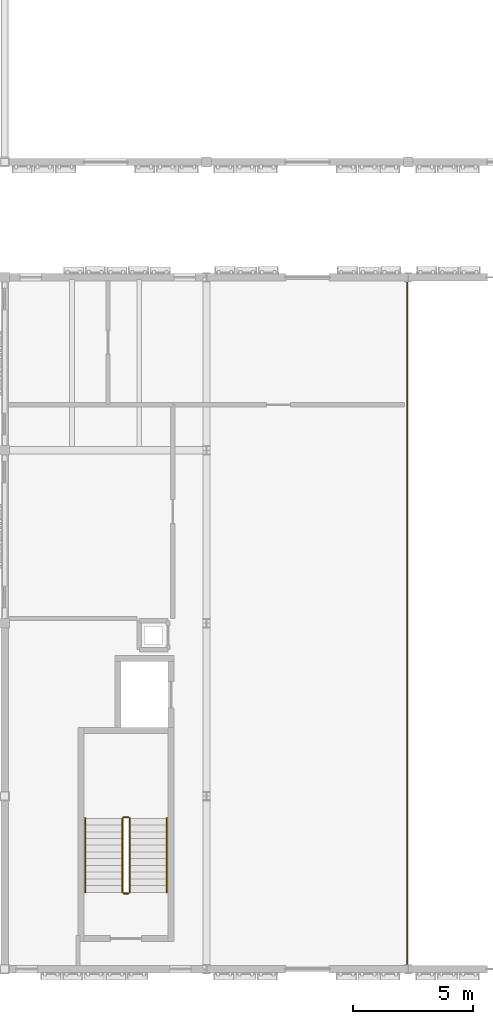
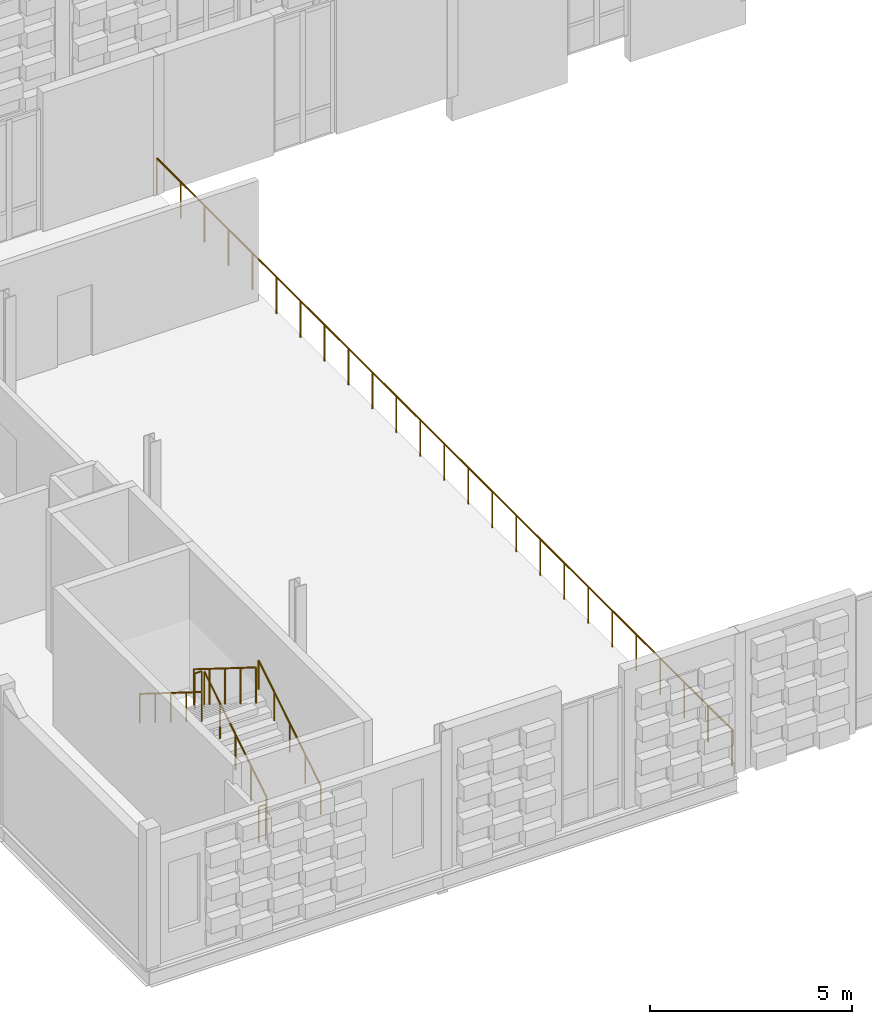
# One storey, part 74 of 81: 7 railings.
"""IFC4 building model written with IfcOpenShell, lengths in metres."""

from ifc_helpers import new_model, si_unit, direction, frame, origin, origin_2d, place, context, subcontext, project, spatial, circle, extrude, material, type_object, element, save


model = new_model("IFC4")

# Units and contexts
model_context = context("Model", 3, precision=1e-05, world=origin(), true_north=direction((0.0, 1.0)))
body_context = subcontext(model_context, "Body", "Model", "MODEL_VIEW")
ifc_project = project(units=[si_unit("LENGTHUNIT", "METRE"), si_unit("AREAUNIT", "SQUARE_METRE"), si_unit("VOLUMEUNIT", "CUBIC_METRE"), si_unit("PLANEANGLEUNIT", "RADIAN"), si_unit("MASSUNIT", "GRAM", prefix="KILO")], contexts=[model_context])

# Site, building, storey
site_placement = place(None, origin())
site = spatial("IfcSite", under=ifc_project, at=site_placement, CompositionType="ELEMENT")
building_placement = place(site_placement, origin())
building = spatial("IfcBuilding", under=site, at=building_placement, Name="Kahlenmark Community Centre", CompositionType="ELEMENT")
storey_placement = place(building_placement, frame((0.0, 0.0, 9.60009765625)))
storey = spatial("IfcBuildingStorey", under=building, at=storey_placement, Name="L02", CompositionType="ELEMENT", Elevation=9.60009765625)

# Railings
ifc_material_1 = material(Name="Powder-coated galvanized steel balustrade", Category="steel")
railing_type_1 = type_object("IfcRailingType", Name="RLT-BAL-1120", PredefinedType="BALUSTRADE", material=ifc_material_1)
railing_1_placement = place(storey_placement, frame((20.75, 8.949951171875, 0.0)))
element("IfcRailing", 1, at=railing_1_placement, inside=storey, type_object=railing_type_1, Name="Balustrade guard L02-013", PredefinedType="BALUSTRADE", context=body_context, shape_type="SweptSolid", body=[
    extrude(circle(Radius=0.02392578125, at=origin_2d()), frame((0.0, 0.0, 1.09619140625), z_axis=(0.0, 1.0, 0.0), x_axis=(-1.0, 0.0, 0.0)), (0.0, 0.0, 1.0), 28.5),
    extrude(circle(Radius=0.02099609375, at=origin_2d()), origin(), (0.0, 0.0, 1.0), 1.072021484375),
    extrude(circle(Radius=0.02099609375, at=origin_2d()), frame((0.0, 1.1875, 0.0)), (0.0, 0.0, 1.0), 1.072021484375),
    extrude(circle(Radius=0.02099609375, at=origin_2d()), frame((0.0, 2.375, 0.0)), (0.0, 0.0, 1.0), 1.072021484375),
    extrude(circle(Radius=0.02099609375, at=origin_2d()), frame((0.0, 3.5625, 0.0)), (0.0, 0.0, 1.0), 1.072021484375),
    extrude(circle(Radius=0.02099609375, at=origin_2d()), frame((0.0, 4.75, 0.0)), (0.0, 0.0, 1.0), 1.072021484375),
    extrude(circle(Radius=0.02099609375, at=origin_2d()), frame((0.0, 5.9375, 0.0)), (0.0, 0.0, 1.0), 1.072021484375),
    extrude(circle(Radius=0.02099609375, at=origin_2d()), frame((0.0, 7.125, 0.0)), (0.0, 0.0, 1.0), 1.072021484375),
    extrude(circle(Radius=0.02099609375, at=origin_2d()), frame((0.0, 8.3125, 0.0)), (0.0, 0.0, 1.0), 1.072021484375),
    extrude(circle(Radius=0.02099609375, at=origin_2d()), frame((0.0, 9.5, 0.0)), (0.0, 0.0, 1.0), 1.072021484375),
    extrude(circle(Radius=0.02099609375, at=origin_2d()), frame((0.0, 10.6875, 0.0)), (0.0, 0.0, 1.0), 1.072021484375),
    extrude(circle(Radius=0.02099609375, at=origin_2d()), frame((0.0, 11.875, 0.0)), (0.0, 0.0, 1.0), 1.072021484375),
    extrude(circle(Radius=0.02099609375, at=origin_2d()), frame((0.0, 13.0625, 0.0)), (0.0, 0.0, 1.0), 1.072021484375),
    extrude(circle(Radius=0.02099609375, at=origin_2d()), frame((0.0, 14.25, 0.0)), (0.0, 0.0, 1.0), 1.072021484375),
    extrude(circle(Radius=0.02099609375, at=origin_2d()), frame((0.0, 15.4375, 0.0)), (0.0, 0.0, 1.0), 1.072021484375),
    extrude(circle(Radius=0.02099609375, at=origin_2d()), frame((0.0, 16.625, 0.0)), (0.0, 0.0, 1.0), 1.072021484375),
    extrude(circle(Radius=0.02099609375, at=origin_2d()), frame((0.0, 17.8125, 0.0)), (0.0, 0.0, 1.0), 1.072021484375),
    extrude(circle(Radius=0.02099609375, at=origin_2d()), frame((0.0, 19.0, 0.0)), (0.0, 0.0, 1.0), 1.072021484375),
    extrude(circle(Radius=0.02099609375, at=origin_2d()), frame((0.0, 20.1875, 0.0)), (0.0, 0.0, 1.0), 1.072021484375),
    extrude(circle(Radius=0.02099609375, at=origin_2d()), frame((0.0, 21.375, 0.0)), (0.0, 0.0, 1.0), 1.072021484375),
    extrude(circle(Radius=0.02099609375, at=origin_2d()), frame((0.0, 22.5625, 0.0)), (0.0, 0.0, 1.0), 1.072021484375),
    extrude(circle(Radius=0.02099609375, at=origin_2d()), frame((0.0, 23.75, 0.0)), (0.0, 0.0, 1.0), 1.072021484375),
    extrude(circle(Radius=0.02099609375, at=origin_2d()), frame((0.0, 24.9375, 0.0)), (0.0, 0.0, 1.0), 1.072021484375),
    extrude(circle(Radius=0.02099609375, at=origin_2d()), frame((0.0, 26.125, 0.0)), (0.0, 0.0, 1.0), 1.072021484375),
    extrude(circle(Radius=0.02099609375, at=origin_2d()), frame((0.0, 27.3125, 0.0)), (0.0, 0.0, 1.0), 1.072021484375),
    extrude(circle(Radius=0.02099609375, at=origin_2d()), frame((0.0, 28.5, 0.0)), (0.0, 0.0, 1.0), 1.072021484375),
])
ifc_material_2 = material(Name="Brushed stainless steel 1.4301 handrail", Category="steel")
railing_type_2 = type_object("IfcRailingType", Name="RLT-HR-900", PredefinedType="HANDRAIL", material=ifc_material_2)
railing_2_placement = place(storey_placement, frame((10.75, 12.0, 0.1748046875)))
element("IfcRailing", 2, at=railing_2_placement, inside=storey, type_object=railing_type_2, Name="L02 ST-01 stair handrail 1", PredefinedType="HANDRAIL", context=body_context, shape_type="SweptSolid", body=[
    extrude(circle(Radius=0.02392578125, at=origin_2d()), frame((0.0, 0.0, 0.8759765625), z_axis=(0.0, 0.847998304005, 0.529998940003), x_axis=(-1.0, 0.0, 0.0)), (0.0, 0.0, 1.0), 3.632080078125),
    extrude(circle(Radius=0.02099609375, at=origin_2d()), origin(), (0.0, 0.0, 1.0), 0.851806640625),
    extrude(circle(Radius=0.02099609375, at=origin_2d()), frame((0.0, 0.77001953125, 0.481201171875)), (0.0, 0.0, 1.0), 0.851806640625),
    extrude(circle(Radius=0.02099609375, at=origin_2d()), frame((0.0, 1.5400390625, 0.96240234375)), (0.0, 0.0, 1.0), 0.851806640625),
    extrude(circle(Radius=0.02099609375, at=origin_2d()), frame((0.0, 2.31005859375, 1.44384765625)), (0.0, 0.0, 1.0), 0.851806640625),
    extrude(circle(Radius=0.02099609375, at=origin_2d()), frame((0.0, 3.080078125, 1.925048828125)), (0.0, 0.0, 1.0), 0.851806640625),
])
railing_3_placement = place(storey_placement, frame((7.35009765625, 15.080078125, 2.27490234375)))
element("IfcRailing", 3, at=railing_3_placement, inside=storey, type_object=railing_type_2, Name="L02 ST-01 stair handrail 2", PredefinedType="HANDRAIL", context=body_context, shape_type="SweptSolid", body=[
    extrude(circle(Radius=0.02392578125, at=origin_2d()), frame((0.0, 0.0, 0.8759765625), z_axis=(0.0, -0.847998304005, 0.529998940003), x_axis=(1.0, 0.0, 0.0)), (0.0, 0.0, 1.0), 3.632080078125),
    extrude(circle(Radius=0.02099609375, at=origin_2d()), origin(), (0.0, 0.0, 1.0), 0.851806640625),
    extrude(circle(Radius=0.02099609375, at=origin_2d()), frame((0.0, -0.77001953125, 0.481201171875)), (0.0, 0.0, 1.0), 0.851806640625),
    extrude(circle(Radius=0.02099609375, at=origin_2d()), frame((0.0, -1.5400390625, 0.96240234375)), (0.0, 0.0, 1.0), 0.851806640625),
    extrude(circle(Radius=0.02099609375, at=origin_2d()), frame((0.0, -2.31005859375, 1.44384765625)), (0.0, 0.0, 1.0), 0.851806640625),
    extrude(circle(Radius=0.02099609375, at=origin_2d()), frame((0.0, -3.080078125, 1.925048828125)), (0.0, 0.0, 1.0), 0.851806640625),
])
ifc_material_3 = material(Name="Powder-coated steel stair well guard", Category="steel")
railing_type_3 = type_object("IfcRailingType", Name="RLT-SG-1120", PredefinedType="GUARDRAIL", material=ifc_material_3)
railing_4_placement = place(storey_placement, frame((9.199951171875, 12.0, 0.1748046875)))
element("IfcRailing", 4, at=railing_4_placement, inside=storey, type_object=railing_type_3, Name="L02 ST-01 stair guard 1", PredefinedType="GUARDRAIL", context=body_context, shape_type="SweptSolid", body=[
    extrude(circle(Radius=0.02392578125, at=origin_2d()), frame((0.0, 0.0, 1.076171875), z_axis=(0.0, 0.847998304005, 0.529998940003), x_axis=(-1.0, 0.0, 0.0)), (0.0, 0.0, 1.0), 3.632080078125),
    extrude(circle(Radius=0.02099609375, at=origin_2d()), origin(), (0.0, 0.0, 1.0), 1.052001953125),
    extrude(circle(Radius=0.02099609375, at=origin_2d()), frame((0.0, 0.77001953125, 0.481201171875)), (0.0, 0.0, 1.0), 1.052001953125),
    extrude(circle(Radius=0.02099609375, at=origin_2d()), frame((0.0, 1.5400390625, 0.96240234375)), (0.0, 0.0, 1.0), 1.052001953125),
    extrude(circle(Radius=0.02099609375, at=origin_2d()), frame((0.0, 2.31005859375, 1.44384765625)), (0.0, 0.0, 1.0), 1.052001953125),
    extrude(circle(Radius=0.02099609375, at=origin_2d()), frame((0.0, 3.080078125, 1.925048828125)), (0.0, 0.0, 1.0), 1.052001953125),
])
railing_5_placement = place(storey_placement, frame((9.14990234375, 15.1298828125, 2.099853515625)))
element("IfcRailing", 5, at=railing_5_placement, inside=storey, type_object=railing_type_3, Name="L02 ST-01 stair guard 2", PredefinedType="GUARDRAIL", context=body_context, shape_type="SweptSolid", body=[
    extrude(circle(Radius=0.02392578125, at=origin_2d()), frame((0.0, 0.0, 1.076171875), z_axis=(-1.0, 0.0, 0.0), x_axis=(0.0, -1.0, 0.0)), (0.0, 0.0, 1.0), 0.199951171875),
    extrude(circle(Radius=0.02099609375, at=origin_2d()), origin(), (0.0, 0.0, 1.0), 1.052001953125),
    extrude(circle(Radius=0.02099609375, at=origin_2d()), frame((-0.199951171875, 0.0, 0.0)), (0.0, 0.0, 1.0), 1.052001953125),
])
railing_6_placement = place(storey_placement, frame((8.89990234375, 15.080078125, 2.27490234375)))
element("IfcRailing", 6, at=railing_6_placement, inside=storey, type_object=railing_type_3, Name="L02 ST-01 stair guard 3", PredefinedType="GUARDRAIL", context=body_context, shape_type="SweptSolid", body=[
    extrude(circle(Radius=0.02392578125, at=origin_2d()), frame((0.0, 0.0, 1.076171875), z_axis=(0.0, -0.847998304005, 0.529998940003), x_axis=(1.0, 0.0, 0.0)), (0.0, 0.0, 1.0), 3.632080078125),
    extrude(circle(Radius=0.02099609375, at=origin_2d()), origin(), (0.0, 0.0, 1.0), 1.052001953125),
    extrude(circle(Radius=0.02099609375, at=origin_2d()), frame((0.0, -0.77001953125, 0.481201171875)), (0.0, 0.0, 1.0), 1.052001953125),
    extrude(circle(Radius=0.02099609375, at=origin_2d()), frame((0.0, -1.5400390625, 0.96240234375)), (0.0, 0.0, 1.0), 1.052001953125),
    extrude(circle(Radius=0.02099609375, at=origin_2d()), frame((0.0, -2.31005859375, 1.44384765625)), (0.0, 0.0, 1.0), 1.052001953125),
    extrude(circle(Radius=0.02099609375, at=origin_2d()), frame((0.0, -3.080078125, 1.925048828125)), (0.0, 0.0, 1.0), 1.052001953125),
])
railing_7_placement = place(storey_placement, frame((9.14990234375, 11.949951171875, 0.0)))
element("IfcRailing", 7, at=railing_7_placement, inside=storey, type_object=railing_type_3, Name="L02 ST-01 stair guard 4", PredefinedType="GUARDRAIL", context=body_context, shape_type="SweptSolid", body=[
    extrude(circle(Radius=0.02392578125, at=origin_2d()), frame((0.0, 0.0, 1.076171875), z_axis=(-1.0, 0.0, 0.0), x_axis=(0.0, -1.0, 0.0)), (0.0, 0.0, 1.0), 0.199951171875),
    extrude(circle(Radius=0.02099609375, at=origin_2d()), origin(), (0.0, 0.0, 1.0), 1.052001953125),
    extrude(circle(Radius=0.02099609375, at=origin_2d()), frame((-0.199951171875, 0.0, 0.0)), (0.0, 0.0, 1.0), 1.052001953125),
])

save(model, "model.ifc")
